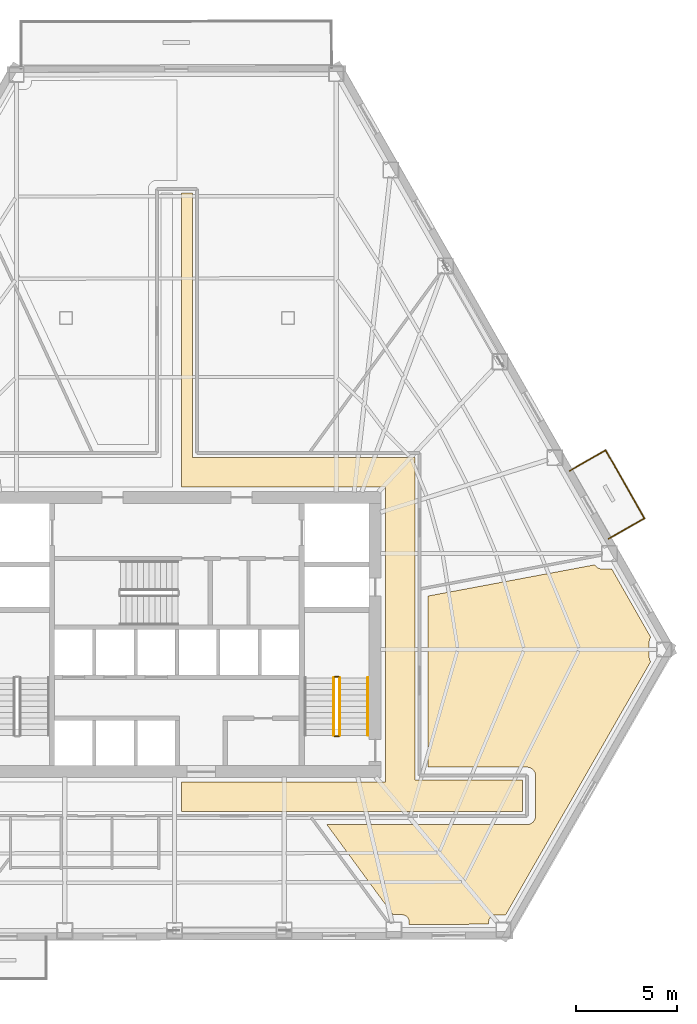
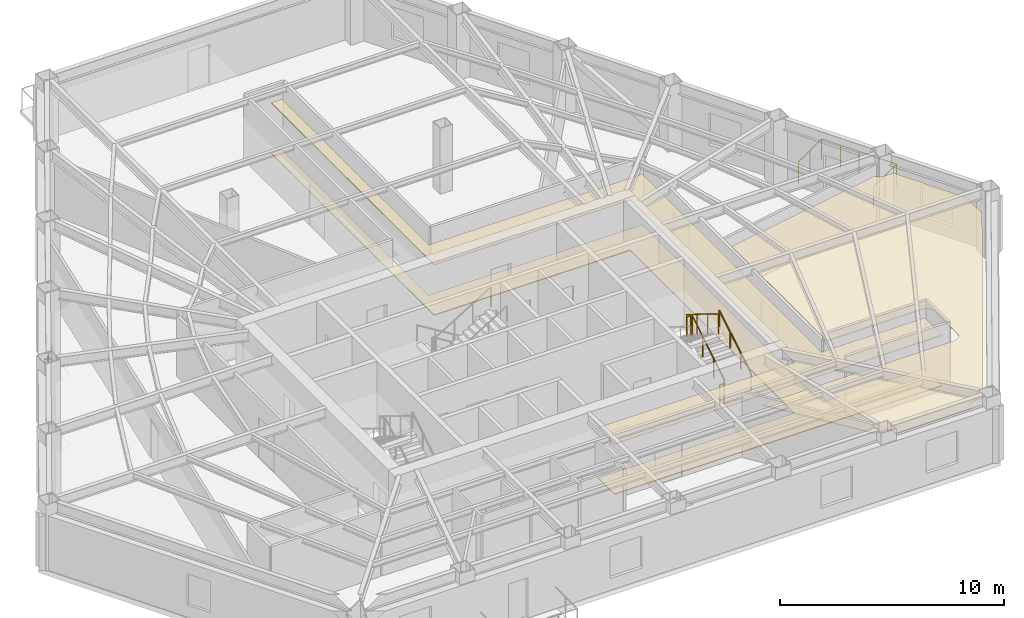
# One storey, part 13 of 14: 8 railings, 3 coverings.
"""IFC4 building model written with IfcOpenShell, lengths in metres."""

import ifcopenshell
import ifcopenshell.guid

model = None  # the IFC model being written
_history = None  # IfcOwnerHistory: only IFC2X3 demands one
_inside = {}  # id of a spatial element -> (the spatial element, [elements in it])
_under = {}  # id of a project, library or spatial element -> (it, [spatial elements below it])
_declared = {}  # id of a project -> (the project, [libraries it declares])
_typed = {}  # id of a type object -> (the type object, [elements of that type])
_made_of = {}  # id of a material, layer set ... -> (it, [elements and type objects made of it])


def new_model(schema):
    """Start an empty IFC model of exactly this schema.

    Asked for "IFC4X3", IfcOpenShell would pick the latest addendum, in which some entities
    have other attributes; the version numbers below select the first issue.
    IFC2X3 requires an IfcOwnerHistory on every rooted entity: one is made here for all.
    """
    global model, _history
    if schema == "IFC4X3":
        model = ifcopenshell.file(schema_version=(4, 3, 0, 0))
    else:
        model = ifcopenshell.file(schema=schema)
    _inside.clear()
    _under.clear()
    _declared.clear()
    _typed.clear()
    _made_of.clear()
    _history = None
    if model.schema == "IFC2X3":
        org = make("IfcOrganization", Name="unknown")
        user = make(
            "IfcPersonAndOrganization",
            ThePerson=make("IfcPerson", FamilyName="unknown"),
            TheOrganization=org,
        )
        app = make(
            "IfcApplication",
            ApplicationDeveloper=org,
            Version="unknown",
            ApplicationFullName="unknown",
            ApplicationIdentifier="unknown",
        )
        _history = make(
            "IfcOwnerHistory",
            OwningUser=user,
            OwningApplication=app,
            ChangeAction="ADDED",
            CreationDate=0,
        )
    return model


def make(cls, **values):
    """One entity of the class cls with the attributes given. An attribute that is None is left unset."""
    return model.create_entity(
        cls, **{name: value for name, value in values.items() if value is not None}
    )


def rooted(cls, **values):
    """An entity with a GlobalId (a new one), such as an element, a storey or a relation."""
    return make(cls, GlobalId=ifcopenshell.guid.new(), OwnerHistory=_history, **values)


def si_unit(unit_type, name, prefix=None):
    """IfcSIUnit, for example si_unit("LENGTHUNIT", "METRE", prefix="MILLI")."""
    return make("IfcSIUnit", UnitType=unit_type, Prefix=prefix, Name=name)


def assignment(units):
    """IfcUnitAssignment: the units of a project."""
    return None if units is None else make("IfcUnitAssignment", Units=units)


def point(xyz):
    """IfcCartesianPoint."""
    return None if xyz is None else make("IfcCartesianPoint", Coordinates=xyz)


def direction(xyz):
    """IfcDirection."""
    return None if xyz is None else make("IfcDirection", DirectionRatios=xyz)


def frame(location, z_axis=None, x_axis=None):
    """IfcAxis2Placement3D, a coordinate frame: its origin and axes. An axis left out is left unset."""
    return make(
        "IfcAxis2Placement3D",
        Location=point(location),
        Axis=direction(z_axis),
        RefDirection=direction(x_axis),
    )


def frame_2d(location, x_axis=None):
    """IfcAxis2Placement2D, a coordinate frame in the plane: its origin and x axis."""
    return make(
        "IfcAxis2Placement2D", Location=point(location), RefDirection=direction(x_axis)
    )


def origin():
    """The frame at (0, 0, 0) with its axes left unset."""
    return frame((0.0, 0.0, 0.0))


def origin_2d():
    """The frame at (0, 0) in the plane with its x axis left unset."""
    return frame_2d((0.0, 0.0))


def place(relative_to, where):
    """IfcLocalPlacement: puts the frame where relative to a parent placement (None: the world)."""
    return make(
        "IfcLocalPlacement", PlacementRelTo=relative_to, RelativePlacement=where
    )


def context(
    kind, dimensions, precision=None, world=None, true_north=None, identifier=None
):
    """IfcGeometricRepresentationContext, for example the 3D "Model" context."""
    return make(
        "IfcGeometricRepresentationContext",
        ContextIdentifier=identifier,
        ContextType=kind,
        CoordinateSpaceDimension=dimensions,
        Precision=precision,
        WorldCoordinateSystem=world,
        TrueNorth=true_north,
    )


def subcontext(parent, identifier, kind, view, scale=None):
    """IfcGeometricRepresentationSubContext, for example "Body" below "Model"."""
    return make(
        "IfcGeometricRepresentationSubContext",
        ContextIdentifier=identifier,
        ContextType=kind,
        ParentContext=parent,
        TargetScale=scale,
        TargetView=view,
    )


def project(units=None, contexts=None):
    """IfcProject with its units and contexts."""
    return rooted(
        "IfcProject",
        Name="project",
        RepresentationContexts=contexts,
        UnitsInContext=assignment(units),
    )


def spatial(cls, under=None, at=None, **own):
    """A site, building, storey or space (cls), placed at a placement, below another one or the project."""
    s = rooted(cls, ObjectPlacement=at, **own)
    if under is not None:
        _under.setdefault(under.id(), (under, []))[1].append(s)
    return s


def polyline(points):
    """IfcPolyline through the points."""
    return make("IfcPolyline", Points=[point(p) for p in points])


def profile(cls, at=None, kind="AREA", **sizes):
    """A parametric profile (cls). Its sizes go by their IFC names, for example OverallWidth=200.0."""
    return make(cls, ProfileType=kind, Position=at, **sizes)


def circle(**sizes):
    """IfcCircleProfileDef."""
    return profile("IfcCircleProfileDef", **sizes)


def outline(outer, holes=None, kind="AREA"):
    """IfcArbitraryClosedProfileDef: a profile drawn as a closed curve; with holes, ...WithVoids."""
    if holes is None:
        return make("IfcArbitraryClosedProfileDef", ProfileType=kind, OuterCurve=outer)
    return make(
        "IfcArbitraryProfileDefWithVoids",
        ProfileType=kind,
        OuterCurve=outer,
        InnerCurves=holes,
    )


def extrude(swept, where, along, depth):
    """IfcExtrudedAreaSolid: the profile swept, set in the frame where, extruded along a direction by depth."""
    return make(
        "IfcExtrudedAreaSolid",
        SweptArea=swept,
        Position=where,
        ExtrudedDirection=direction(along),
        Depth=depth,
    )


def shape(context_of_items, identifier, shape_type, items):
    """IfcShapeRepresentation: the items that make up one representation, for example the "Body"."""
    return make(
        "IfcShapeRepresentation",
        ContextOfItems=context_of_items,
        RepresentationIdentifier=identifier,
        RepresentationType=shape_type,
        Items=items,
    )


def material(Name=None, Category=None):
    """IfcMaterial."""
    return make("IfcMaterial", Name=Name, Category=Category)


def layer(
    of_material, thickness, ventilated=None, Name=None, Category=None, Priority=None
):
    """IfcMaterialLayer: one layer of a wall or slab, of a material (None: an air gap)."""
    return make(
        "IfcMaterialLayer",
        Material=of_material,
        LayerThickness=thickness,
        IsVentilated=ventilated,
        Name=Name,
        Category=Category,
        Priority=Priority,
    )


def layer_set(layers, Name=None):
    """IfcMaterialLayerSet."""
    return make("IfcMaterialLayerSet", MaterialLayers=layers, LayerSetName=Name)


def made_of(thing, what):
    """Note that an element or type object is made of a material, layer set ...; save() writes the relation."""
    if what is not None:
        _made_of.setdefault(what.id(), (what, []))[1].append(thing)
    return thing


def type_object(cls, material=None, **own):
    """A type object (cls), such as IfcWallType, which elements share."""
    return made_of(rooted(cls, **own), material)


def element(
    cls,
    number,
    at=None,
    inside=None,
    cuts=None,
    type_object=None,
    material=None,
    context=None,
    identifier="Body",
    shape_type=None,
    held_by="IfcProductDefinitionShape",
    body=None,
    shapes=None,
    **own,
):
    """One element of the class cls, such as IfcWall. Its Tag is "e" and its number.

    at: its placement. inside: the storey or other place that contains it. cuts: it is an
    opening in that element (IfcRelVoidsElement). A single representation is given by context,
    identifier, shape_type and body (its items); several are given by shapes. held_by: the class
    of the entity that holds the representations. save() writes the other relations.
    """
    e = rooted(cls, Tag="e%d" % number, ObjectPlacement=at, **own)
    if body is not None:
        shapes = [shape(context, identifier, shape_type, body)]
    if shapes is not None:
        e.Representation = make(held_by, Representations=shapes)
    if inside is not None:
        _inside.setdefault(inside.id(), (inside, []))[1].append(e)
    if cuts is not None:
        rooted(
            "IfcRelVoidsElement", RelatingBuildingElement=cuts, RelatedOpeningElement=e
        )
    if type_object is not None:
        _typed.setdefault(type_object.id(), (type_object, []))[1].append(e)
    return made_of(e, material)


def aggregate(whole, parts):
    """IfcRelAggregates: a whole, such as a stair, and the parts it consists of."""
    return rooted("IfcRelAggregates", RelatingObject=whole, RelatedObjects=parts)


def save(model, path):
    """Write the relations noted so far, then the file.

    IfcRelAggregates (storeys below a building ...), IfcRelContainedInSpatialStructure (elements
    in a storey), IfcRelDefinesByType, IfcRelAssociatesMaterial and IfcRelDeclares: one each for
    every whole, place, type object, material and project.
    """
    for whole, parts in _under.values():
        aggregate(whole, parts)
    for where, things in _inside.values():
        rooted(
            "IfcRelContainedInSpatialStructure",
            RelatedElements=things,
            RelatingStructure=where,
        )
    for kind, things in _typed.values():
        rooted("IfcRelDefinesByType", RelatedObjects=things, RelatingType=kind)
    for what, things in _made_of.values():
        rooted("IfcRelAssociatesMaterial", RelatedObjects=things, RelatingMaterial=what)
    for by, libraries in _declared.values():
        rooted("IfcRelDeclares", RelatingContext=by, RelatedDefinitions=libraries)
    model.write(path)


model = new_model("IFC4")

# Units and contexts
model_context = context("Model", 3, precision=1e-05, world=origin(), true_north=direction((0.0, 1.0)))
body_context = subcontext(model_context, "Body", "Model", "MODEL_VIEW")
ifc_project = project(units=[si_unit("LENGTHUNIT", "METRE"), si_unit("AREAUNIT", "SQUARE_METRE"), si_unit("VOLUMEUNIT", "CUBIC_METRE"), si_unit("PLANEANGLEUNIT", "RADIAN"), si_unit("MASSUNIT", "GRAM", prefix="KILO")], contexts=[model_context])

# Site, building, storey
site_placement = place(None, origin())
site = spatial("IfcSite", under=ifc_project, at=site_placement, CompositionType="ELEMENT")
building_placement = place(site_placement, origin())
building = spatial("IfcBuilding", under=site, at=building_placement, Name="Kavelnor Concourse Tower", CompositionType="ELEMENT")
storey_placement = place(building_placement, frame((0.0, 0.0, 17.550048828125)))
storey = spatial("IfcBuildingStorey", under=building, at=storey_placement, Name="L04", CompositionType="ELEMENT", Elevation=17.550048828125)

# Coverings
ifc_material_1 = material(Name="Mineral fibre acoustic ceiling tile")
ifc_layer_1 = layer(ifc_material_1, 0.0400390625, Name="Mineral fibre acoustic ceiling tile")
ifc_layer_set_1 = layer_set([ifc_layer_1], Name="Mineral fibre acoustic ceiling tile")
covering_type_1 = type_object("IfcCoveringType", Name="COV-CEILING-ACOUSTIC", PredefinedType="CEILING", material=ifc_layer_set_1)
covering_1_placement = place(storey_placement, frame((0.0, 0.0, 2.75)))
element("IfcCovering", 1, at=covering_1_placement, inside=storey, type_object=covering_type_1, Name="L04 Suspended Acoustic Ceiling", PredefinedType="CEILING", context=body_context, shape_type="SweptSolid", body=[
    extrude(outline(polyline([(38.780029296875, 37.97998046875), (38.780029296875, 24.8798828125), (49.800048828125, 24.8798828125), (49.800048828125, 8.8798828125), (55.13525390625, 8.8798828125), (55.13525390625, 7.320068359375), (38.22509765625, 7.320068359375), (38.22509765625, 8.780029296875), (48.340087890625, 8.780029296875), (48.340087890625, 23.419921875), (38.22509765625, 23.419921875), (38.22509765625, 37.97998046875), (38.780029296875, 37.97998046875)])), origin(), (0.0, 0.0, 1.0), 0.0400390625),
])
covering_2_placement = place(storey_placement, frame((0.0, 0.0, 2.75)))
element("IfcCovering", 2, at=covering_2_placement, inside=storey, type_object=covering_type_1, Name="L04 Suspended Acoustic Ceiling", PredefinedType="CEILING", context=body_context, shape_type="SweptSolid", body=[
    extrude(outline(polyline([(49.51416015625, 1.854736328125), (49.5126953125, 1.881591796875), (49.507568359375, 1.916748046875), (49.4990234375, 1.950927734375), (49.487060546875, 1.984375), (49.471923828125, 2.016357421875), (49.453857421875, 2.046630859375), (49.4326171875, 2.074951171875), (49.408935546875, 2.101318359375), (49.3828125, 2.125), (49.354248046875, 2.14599609375), (49.323974609375, 2.164306640625), (49.2919921875, 2.179443359375), (49.2587890625, 2.19140625), (49.224365234375, 2.199951171875), (49.189453125, 2.205078125), (49.162353515625, 2.206298828125), (48.711181640625, 2.206298828125), (45.4296875, 6.677490234375), (49.92822265625, 6.677490234375), (49.96142578125, 6.67919921875), (49.969970703125, 6.680419921875), (49.978515625, 6.67919921875), (50.01171875, 6.677490234375), (55.363525390625, 6.677490234375), (55.396728515625, 6.67919921875), (55.437744140625, 6.685302734375), (55.47802734375, 6.6953125), (55.51708984375, 6.709228515625), (55.5546875, 6.72705078125), (55.59033203125, 6.748291015625), (55.62353515625, 6.773193359375), (55.654296875, 6.801025390625), (55.68212890625, 6.831787109375), (55.706787109375, 6.864990234375), (55.728271484375, 6.900634765625), (55.74609375, 6.938232421875), (55.760009765625, 6.977294921875), (55.77001953125, 7.017578125), (55.776123046875, 7.05859375), (55.77783203125, 7.091796875), (55.77783203125, 9.1083984375), (55.776123046875, 9.1416015625), (55.77001953125, 9.1826171875), (55.760009765625, 9.222900390625), (55.74609375, 9.26171875), (55.728271484375, 9.29931640625), (55.706787109375, 9.3349609375), (55.68212890625, 9.368408203125), (55.654296875, 9.39892578125), (55.62353515625, 9.427001953125), (55.59033203125, 9.45166015625), (55.5546875, 9.472900390625), (55.51708984375, 9.49072265625), (55.47802734375, 9.504638671875), (55.437744140625, 9.514892578125), (55.396728515625, 9.52099609375), (55.363525390625, 9.5224609375), (50.4423828125, 9.5224609375), (50.4423828125, 18.007080078125), (58.722412109375, 19.556884765625), (58.728271484375, 19.544677734375), (58.746337890625, 19.514404296875), (58.767578125, 19.486083984375), (58.791259765625, 19.459716796875), (58.8173828125, 19.43603515625), (58.845947265625, 19.414794921875), (58.876220703125, 19.396728515625), (58.908203125, 19.381591796875), (58.94140625, 19.36962890625), (58.975830078125, 19.361083984375), (59.0107421875, 19.35595703125), (59.037841796875, 19.3544921875), (59.556884765625, 19.3544921875), (61.491455078125, 15.960205078125), (61.476318359375, 15.939697265625), (61.4580078125, 15.909423828125), (61.443115234375, 15.87744140625), (61.43115234375, 15.84423828125), (61.422607421875, 15.809814453125), (61.417236328125, 15.77490234375), (61.416015625, 15.747802734375), (61.416015625, 14.97119140625), (61.417236328125, 14.9443359375), (61.422607421875, 14.9091796875), (61.43115234375, 14.875), (61.443115234375, 14.841796875), (61.4580078125, 14.809814453125), (61.476318359375, 14.779296875), (61.490234375, 14.760498046875), (54.294677734375, 2.1982421875), (53.80517578125, 2.1982421875), (53.778076171875, 2.197021484375), (53.7431640625, 2.191650390625), (53.708740234375, 2.18310546875), (53.675537109375, 2.171142578125), (53.6435546875, 2.156005859375), (53.61328125, 2.137939453125), (53.584716796875, 2.11669921875), (53.55859375, 2.093017578125), (53.534912109375, 2.06689453125), (53.513671875, 2.038330078125), (53.49560546875, 2.008056640625), (53.48046875, 1.97607421875), (53.468505859375, 1.94287109375), (53.4599609375, 1.908447265625), (53.45458984375, 1.87353515625), (53.453369140625, 1.846435546875), (53.453369140625, 1.736572265625), (49.51416015625, 1.72802734375), (49.51416015625, 1.854736328125)])), origin(), (0.0, 0.0, 1.0), 0.0400390625),
])
ifc_material_2 = material(Name="Honed bluestone and raised access floor finish", Category="masonry")
ifc_layer_2 = layer(ifc_material_2, 0.0400390625, Name="Honed bluestone and raised access floor finish")
ifc_layer_set_2 = layer_set([ifc_layer_2], Name="Honed bluestone and raised access floor finish")
covering_type_2 = type_object("IfcCoveringType", Name="COV-FLOOR-STONE", PredefinedType="FLOORING", material=ifc_layer_set_2)
covering_3_placement = place(storey_placement, frame((0.0, 0.0, 0.001953125)))
element("IfcCovering", 3, at=covering_3_placement, inside=storey, type_object=covering_type_2, Name="L04 Honed Bluestone Floor Finish", PredefinedType="FLOORING", context=body_context, shape_type="SweptSolid", body=[
    extrude(outline(polyline([(38.780029296875, 37.97998046875), (38.780029296875, 24.8798828125), (49.800048828125, 24.8798828125), (49.800048828125, 8.8798828125), (55.13525390625, 8.8798828125), (55.13525390625, 7.320068359375), (38.22509765625, 7.320068359375), (38.22509765625, 8.780029296875), (48.340087890625, 8.780029296875), (48.340087890625, 23.419921875), (38.22509765625, 23.419921875), (38.22509765625, 37.97998046875), (38.780029296875, 37.97998046875)])), origin(), (0.0, 0.0, 1.0), 0.0400390625),
])

# Railings
ifc_material_3 = material(Name="Steel Grade 350", Category="steel")
railing_type_1 = type_object("IfcRailingType", Name="RLG-GUARD-1100", PredefinedType="GUARDRAIL", material=ifc_material_3)
railing_1_placement = place(storey_placement, frame((46.070068359375, 11.10009765625, 0.175048828125)))
element("IfcRailing", 4, at=railing_1_placement, inside=storey, type_object=railing_type_1, Name="L04 ST2 stair guard 1", PredefinedType="GUARDRAIL", context=body_context, shape_type="SweptSolid", body=[
    extrude(circle(Radius=0.02392578125, at=origin_2d()), frame((0.0, 0.0, 1.076171875), z_axis=(0.0, 0.852159232446, 0.523282564737), x_axis=(-1.0, 0.0, 0.0)), (0.0, 0.0, 1.0), 3.34423828125),
    extrude(circle(Radius=0.02099609375, at=origin_2d()), origin(), (0.0, 0.0, 1.0), 1.052001953125),
    extrude(circle(Radius=0.02099609375, at=origin_2d()), frame((0.0, 0.949951171875, 0.583251953125)), (0.0, 0.0, 1.0), 1.052001953125),
    extrude(circle(Radius=0.02099609375, at=origin_2d()), frame((0.0, 1.89990234375, 1.166748046875)), (0.0, 0.0, 1.0), 1.052001953125),
    extrude(circle(Radius=0.02099609375, at=origin_2d()), frame((0.0, 2.849853515625, 1.75)), (0.0, 0.0, 1.0), 1.052001953125),
])
railing_2_placement = place(storey_placement, frame((46.02001953125, 14.0, 1.925048828125)))
element("IfcRailing", 5, at=railing_2_placement, inside=storey, type_object=railing_type_1, Name="L04 ST2 stair guard 2", PredefinedType="GUARDRAIL", context=body_context, shape_type="SweptSolid", body=[
    extrude(circle(Radius=0.02392578125, at=origin_2d()), frame((0.0, 0.0, 1.076171875), z_axis=(-1.0, 0.0, 0.0), x_axis=(0.0, -1.0, 0.0)), (0.0, 0.0, 1.0), 0.199951171875),
    extrude(circle(Radius=0.02099609375, at=origin_2d()), origin(), (0.0, 0.0, 1.0), 1.052001953125),
    extrude(circle(Radius=0.02099609375, at=origin_2d()), frame((-0.199951171875, 0.0, 0.0)), (0.0, 0.0, 1.0), 1.052001953125),
])
railing_3_placement = place(storey_placement, frame((45.77001953125, 13.949951171875, 2.099853515625)))
element("IfcRailing", 6, at=railing_3_placement, inside=storey, type_object=railing_type_1, Name="L04 ST2 stair guard 3", PredefinedType="GUARDRAIL", context=body_context, shape_type="SweptSolid", body=[
    extrude(circle(Radius=0.02392578125, at=origin_2d()), frame((0.0, 0.0, 1.076171875), z_axis=(0.0, -0.852159232446, 0.523282564737), x_axis=(1.0, 0.0, 0.0)), (0.0, 0.0, 1.0), 3.34423828125),
    extrude(circle(Radius=0.02099609375, at=origin_2d()), origin(), (0.0, 0.0, 1.0), 1.052001953125),
    extrude(circle(Radius=0.02099609375, at=origin_2d()), frame((0.0, -0.949951171875, 0.583251953125)), (0.0, 0.0, 1.0), 1.052001953125),
    extrude(circle(Radius=0.02099609375, at=origin_2d()), frame((0.0, -1.89990234375, 1.166748046875)), (0.0, 0.0, 1.0), 1.052001953125),
    extrude(circle(Radius=0.02099609375, at=origin_2d()), frame((0.0, -2.849853515625, 1.75)), (0.0, 0.0, 1.0), 1.052001953125),
])
railing_4_placement = place(storey_placement, frame((46.02001953125, 11.050048828125, 0.0)))
element("IfcRailing", 7, at=railing_4_placement, inside=storey, type_object=railing_type_1, Name="L04 ST2 stair guard 4", PredefinedType="GUARDRAIL", context=body_context, shape_type="SweptSolid", body=[
    extrude(circle(Radius=0.02392578125, at=origin_2d()), frame((0.0, 0.0, 1.076171875), z_axis=(-1.0, 0.0, 0.0), x_axis=(0.0, -1.0, 0.0)), (0.0, 0.0, 1.0), 0.199951171875),
    extrude(circle(Radius=0.02099609375, at=origin_2d()), origin(), (0.0, 0.0, 1.0), 1.052001953125),
    extrude(circle(Radius=0.02099609375, at=origin_2d()), frame((-0.199951171875, 0.0, 0.0)), (0.0, 0.0, 1.0), 1.052001953125),
])
railing_type_2 = type_object("IfcRailingType", Name="RLG-HANDRAIL-900", PredefinedType="HANDRAIL", material=ifc_material_3)
railing_5_placement = place(storey_placement, frame((47.469970703125, 11.10009765625, 0.175048828125)))
element("IfcRailing", 8, at=railing_5_placement, inside=storey, type_object=railing_type_2, Name="L04 ST2 stair handrail 1", PredefinedType="HANDRAIL", context=body_context, shape_type="SweptSolid", body=[
    extrude(circle(Radius=0.02392578125, at=origin_2d()), frame((0.0, 0.0, 0.8759765625), z_axis=(0.0, 0.852159232446, 0.523282564737), x_axis=(-1.0, 0.0, 0.0)), (0.0, 0.0, 1.0), 3.34423828125),
    extrude(circle(Radius=0.02099609375, at=origin_2d()), origin(), (0.0, 0.0, 1.0), 0.851806640625),
    extrude(circle(Radius=0.02099609375, at=origin_2d()), frame((0.0, 0.949951171875, 0.583251953125)), (0.0, 0.0, 1.0), 0.851806640625),
    extrude(circle(Radius=0.02099609375, at=origin_2d()), frame((0.0, 1.89990234375, 1.166748046875)), (0.0, 0.0, 1.0), 0.851806640625),
    extrude(circle(Radius=0.02099609375, at=origin_2d()), frame((0.0, 2.849853515625, 1.75)), (0.0, 0.0, 1.0), 0.851806640625),
])
ifc_material_4 = material(Name="Architectural bronze-anodised aluminium", Category="aluminium")
railing_type_3 = type_object("IfcRailingType", Name="RLG-TERRACE-1200", PredefinedType="BALUSTRADE", material=ifc_material_4)
railing_6_placement = place(storey_placement, frame((59.39697265625, 20.84716796875, 0.0)))
element("IfcRailing", 9, at=railing_6_placement, inside=storey, type_object=railing_type_3, Name="L04 Tree Balcony 2 Guardrail L", PredefinedType="BALUSTRADE", context=body_context, shape_type="SweptSolid", body=[
    extrude(circle(Radius=0.02392578125, at=origin_2d()), frame((0.0, 0.0, 1.17578125), z_axis=(0.868784955551, 0.495189560683, 0.0), x_axis=(-0.495189560683, 0.868784955551, 0.0)), (0.0, 0.0, 1.0), 2.050048828125),
    extrude(circle(Radius=0.02099609375, at=origin_2d()), origin(), (0.0, 0.0, 1.0), 1.15185546875),
    extrude(circle(Radius=0.02099609375, at=origin_2d()), frame((0.890625, 0.507568359375, 0.0)), (0.0, 0.0, 1.0), 1.15185546875),
    extrude(circle(Radius=0.02099609375, at=origin_2d()), frame((1.781005859375, 1.01513671875, 0.0)), (0.0, 0.0, 1.0), 1.15185546875),
])
railing_7_placement = place(storey_placement, frame((61.177978515625, 21.8623046875, 0.0)))
element("IfcRailing", 10, at=railing_7_placement, inside=storey, type_object=railing_type_3, Name="L04 Tree Balcony 2 Guardrail F", PredefinedType="BALUSTRADE", context=body_context, shape_type="SweptSolid", body=[
    extrude(circle(Radius=0.02392578125, at=origin_2d()), frame((0.0, 0.0, 1.17578125), z_axis=(-0.495156024152, 0.868804069826, 0.0), x_axis=(-0.868804069826, -0.495156024152, 0.0)), (0.0, 0.0, 1.0), 3.8798828125),
    extrude(circle(Radius=0.02099609375, at=origin_2d()), origin(), (0.0, 0.0, 1.0), 1.15185546875),
    extrude(circle(Radius=0.02099609375, at=origin_2d()), frame((-0.480224609375, 0.8427734375, 0.0)), (0.0, 0.0, 1.0), 1.15185546875),
    extrude(circle(Radius=0.02099609375, at=origin_2d()), frame((-0.96044921875, 1.685546875, 0.0)), (0.0, 0.0, 1.0), 1.15185546875),
    extrude(circle(Radius=0.02099609375, at=origin_2d()), frame((-1.44091796875, 2.528076171875, 0.0)), (0.0, 0.0, 1.0), 1.15185546875),
    extrude(circle(Radius=0.02099609375, at=origin_2d()), frame((-1.921142578125, 3.370849609375, 0.0)), (0.0, 0.0, 1.0), 1.15185546875),
])
railing_8_placement = place(storey_placement, frame((59.2568359375, 25.233154296875, 0.0)))
element("IfcRailing", 11, at=railing_8_placement, inside=storey, type_object=railing_type_3, Name="L04 Tree Balcony 2 Guardrail R", PredefinedType="BALUSTRADE", context=body_context, shape_type="SweptSolid", body=[
    extrude(circle(Radius=0.02392578125, at=origin_2d()), frame((0.0, 0.0, 1.17578125), z_axis=(-0.868784955551, -0.495189560683, 0.0), x_axis=(0.495189560683, -0.868784955551, 0.0)), (0.0, 0.0, 1.0), 2.050048828125),
    extrude(circle(Radius=0.02099609375, at=origin_2d()), origin(), (0.0, 0.0, 1.0), 1.15185546875),
    extrude(circle(Radius=0.02099609375, at=origin_2d()), frame((-0.890625, -0.507568359375, 0.0)), (0.0, 0.0, 1.0), 1.15185546875),
    extrude(circle(Radius=0.02099609375, at=origin_2d()), frame((-1.781005859375, -1.01513671875, 0.0)), (0.0, 0.0, 1.0), 1.15185546875),
])

save(model, "model.ifc")
